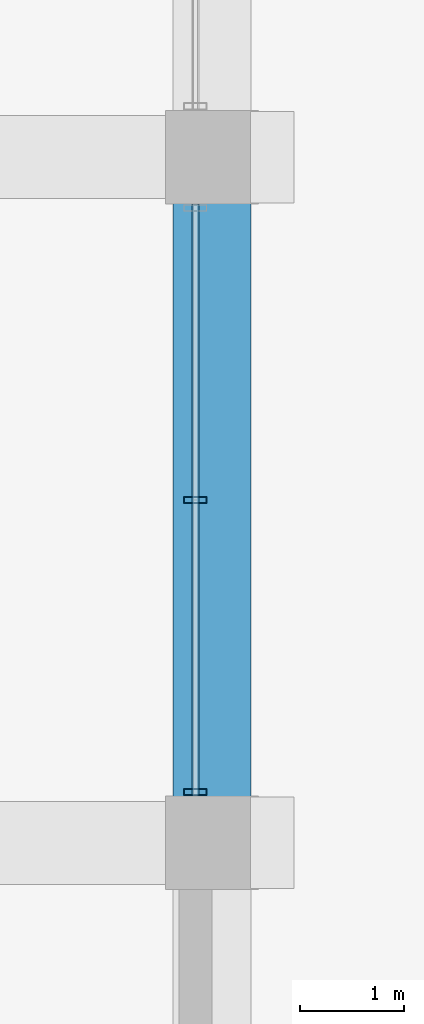
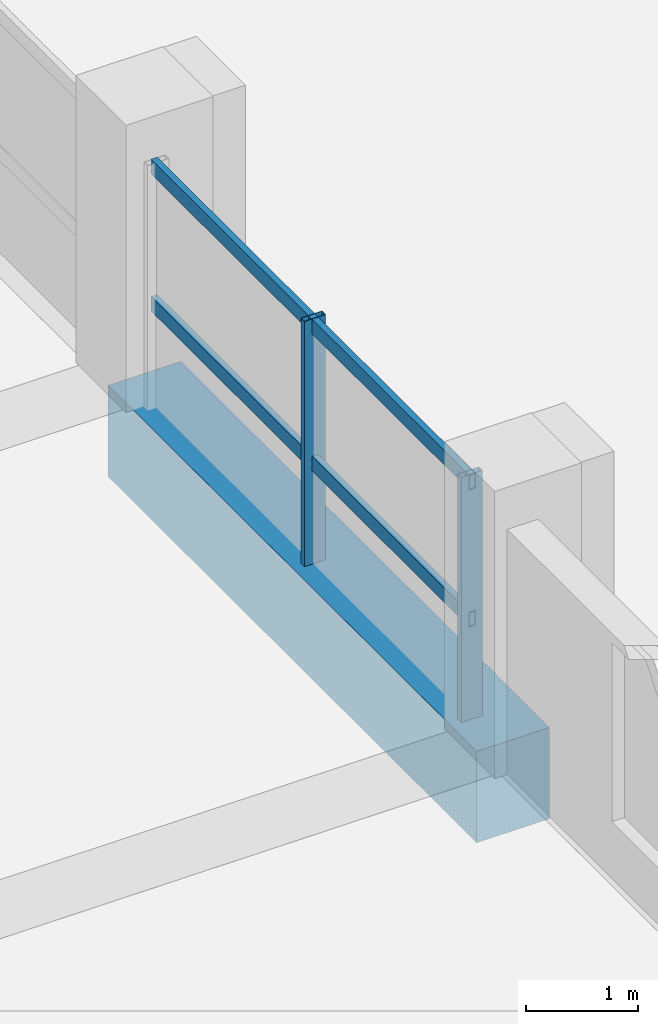
# One storey, part 16 of 49: 4 members, 1 beam, 1 element without a shape of its own.
"""IFC4 building model written with IfcOpenShell, lengths in metres."""

from ifc_helpers import new_model, si_unit, direction, frame, origin, origin_2d, place, context, subcontext, project, spatial, rectangle, hollow_rectangle, extrude, material, material_profile, profile_set, type_object, element, aggregate, save


model = new_model("IFC4")

# Units and contexts
model_context = context("Model", 3, precision=1e-05, world=origin(), true_north=direction((0.0, 1.0)))
body_context = subcontext(model_context, "Body", "Model", "MODEL_VIEW")
ifc_project = project(units=[si_unit("LENGTHUNIT", "METRE"), si_unit("AREAUNIT", "SQUARE_METRE"), si_unit("VOLUMEUNIT", "CUBIC_METRE"), si_unit("PLANEANGLEUNIT", "RADIAN"), si_unit("MASSUNIT", "GRAM", prefix="KILO")], contexts=[model_context])

# Site, building, storey
site_placement = place(None, origin())
site = spatial("IfcSite", under=ifc_project, at=site_placement, CompositionType="ELEMENT")
building_placement = place(site_placement, origin())
building = spatial("IfcBuilding", under=site, at=building_placement, Name="Akrevak Sports Hall", CompositionType="ELEMENT")
storey_placement = place(building_placement, frame((0.0, 0.0, 24.14990234375)))
storey = spatial("IfcBuildingStorey", under=building, at=storey_placement, Name="L04", CompositionType="ELEMENT", Elevation=24.14990234375)

# Curtain wall, members
ifc_material_1 = material(Name="Anodized Bronze Aluminium & Low-E Glass", Category="aluminium")
curtain_wall_type = type_object("IfcCurtainWallType", Name="ARC-CW-TWR-72x30", PredefinedType="NOTDEFINED", material=ifc_material_1)
curtain_wall_placement = place(storey_placement, origin())
curtain_wall = element("IfcCurtainWall", 1, at=curtain_wall_placement, inside=storey, type_object=curtain_wall_type, Name="Curtain Wall CW-L04-E14", PredefinedType="NOTDEFINED")
ifc_material_2 = material(Name="Anodized Bronze Aluminium", Category="aluminium")
ifc_material_profile_1 = material_profile(ifc_material_2, hollow_rectangle(XDim=0.06494140625, YDim=0.219970703125, WallThickness=0.00439453125, at=origin_2d()), Name="CWM 65x220", Category="aluminium")
ifc_profile_set_1 = profile_set([ifc_material_profile_1], Name="Anodized Bronze Aluminium")
member_type_1 = type_object("IfcMemberType", Name="ARC-CWM-70x160", PredefinedType="MULLION", material=ifc_profile_set_1)
member_1_placement = place(storey_placement, frame((115.340087890625, 42.489990234375, 0.0), z_axis=(0.0, 0.0, 1.0), x_axis=(0.0, 1.0, 0.0)))
member_1 = element("IfcMember", 2, at=member_1_placement, type_object=member_type_1, Name="Curtain Wall Mullion CW-L04-E14-M1", PredefinedType="MULLION", context=body_context, shape_type="SweptSolid", body=[
    extrude(hollow_rectangle(XDim=0.06494140625, YDim=0.219970703125, WallThickness=0.00439453125, at=origin_2d()), origin(), (0.0, 0.0, 1.0), 2.68017578125),
])
member_2_placement = place(storey_placement, frame((115.340087890625, 45.300048828125, 0.0), z_axis=(0.0, 0.0, 1.0), x_axis=(0.0, 1.0, 0.0)))
member_2 = element("IfcMember", 3, at=member_2_placement, type_object=member_type_1, Name="Curtain Wall Mullion CW-L04-E14-M2", PredefinedType="MULLION", context=body_context, shape_type="SweptSolid", body=[
    extrude(hollow_rectangle(XDim=0.06494140625, YDim=0.219970703125, WallThickness=0.00439453125, at=origin_2d()), origin(), (0.0, 0.0, 1.0), 2.68017578125),
])
ifc_material_profile_2 = material_profile(ifc_material_2, hollow_rectangle(XDim=0.06494140625, YDim=0.159912109375, WallThickness=0.00390625, at=origin_2d()), Name="CWT 65x160", Category="aluminium")
ifc_profile_set_2 = profile_set([ifc_material_profile_2], Name="Anodized Bronze Aluminium")
member_type_2 = type_object("IfcMemberType", Name="ARC-CWT-70x130", PredefinedType="USERDEFINED", material=ifc_profile_set_2)
member_3_placement = place(storey_placement, frame((115.340087890625, 42.449951171875, 1.10009765625), z_axis=(0.0, 1.0, 0.0), x_axis=(-1.0, 0.0, 0.0)))
member_3 = element("IfcMember", 4, at=member_3_placement, type_object=member_type_2, Name="Curtain Wall Transom CW-L04-E14-T1", ObjectType="TRANSOM", PredefinedType="USERDEFINED", context=body_context, shape_type="SweptSolid", body=[
    extrude(hollow_rectangle(XDim=0.06494140625, YDim=0.159912109375, WallThickness=0.00390625, at=origin_2d()), origin(), (0.0, 0.0, 1.0), 5.699951171875),
])
member_4_placement = place(storey_placement, frame((115.340087890625, 42.449951171875, 2.60009765625), z_axis=(0.0, 1.0, 0.0), x_axis=(-1.0, 0.0, 0.0)))
member_4 = element("IfcMember", 5, at=member_4_placement, type_object=member_type_2, Name="Curtain Wall Transom CW-L04-E14-T2", ObjectType="TRANSOM", PredefinedType="USERDEFINED", context=body_context, shape_type="SweptSolid", body=[
    extrude(hollow_rectangle(XDim=0.06494140625, YDim=0.159912109375, WallThickness=0.00390625, at=origin_2d()), origin(), (0.0, 0.0, 1.0), 5.699951171875),
])
aggregate(curtain_wall, [member_1, member_2, member_3, member_4])

# Beam
ifc_material_3 = material(Name="Concrete C50/60", Category="concrete")
ifc_material_profile_3 = material_profile(ifc_material_3, rectangle(XDim=0.75, YDim=1.0, at=origin_2d()), Name="BM 750x1000", Category="concrete")
ifc_profile_set_3 = profile_set([ifc_material_profile_3], Name="Concrete C50/60")
beam_type = type_object("IfcBeamType", Name="STR-BM-RC750x1000", PredefinedType="BEAM", material=ifc_profile_set_3)
beam_placement = place(storey_placement, frame((115.5, 42.0, -0.5), z_axis=(0.0, 1.0, 0.0), x_axis=(-1.0, 0.0, 0.0)))
element("IfcBeam", 6, at=beam_placement, inside=storey, type_object=beam_type, Name="Girder 16/G-H (L04)", PredefinedType="BEAM", context=body_context, shape_type="SweptSolid", body=[
    extrude(rectangle(XDim=0.75, YDim=1.0, at=origin_2d()), origin(), (0.0, 0.0, 1.0), 6.60009765625),
])

save(model, "model.ifc")
